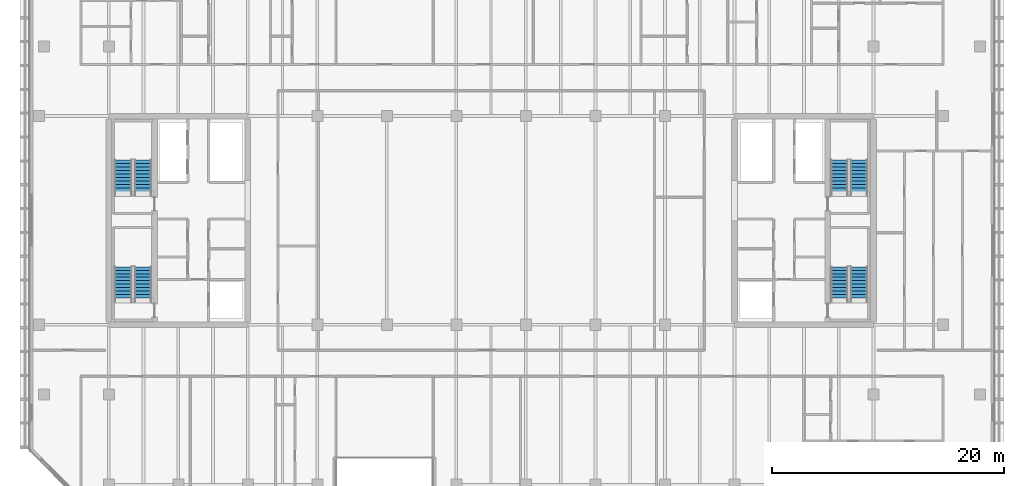
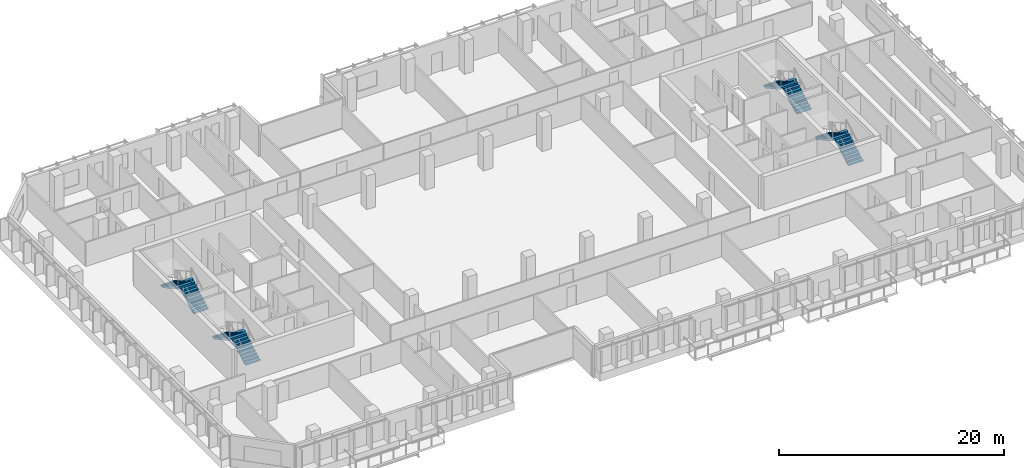
# One storey, part 17 of 23: 8 stair flights, 4 elements without a shape of their own.
"""IFC4 building model written with IfcOpenShell, lengths in metres."""

from ifc_helpers import new_model, si_unit, direction, frame, origin, place, context, subcontext, project, spatial, polyline, outline, extrude, material, type_object, element, aggregate, save


model = new_model("IFC4")

# Units and contexts
model_context = context("Model", 3, precision=1e-05, world=origin(), true_north=direction((0.0, 1.0)))
body_context = subcontext(model_context, "Body", "Model", "MODEL_VIEW")
ifc_project = project(units=[si_unit("LENGTHUNIT", "METRE"), si_unit("AREAUNIT", "SQUARE_METRE"), si_unit("VOLUMEUNIT", "CUBIC_METRE"), si_unit("PLANEANGLEUNIT", "RADIAN"), si_unit("MASSUNIT", "GRAM", prefix="KILO")], contexts=[model_context])

# Site, building, storey
site_placement = place(None, origin())
site = spatial("IfcSite", under=ifc_project, at=site_placement, CompositionType="ELEMENT")
building_placement = place(site_placement, origin())
building = spatial("IfcBuilding", under=site, at=building_placement, Name="Tanjung Sevakor Pilgrim Tower", CompositionType="ELEMENT")
storey_placement = place(building_placement, frame((0.0, 0.0, 119.4599609375)))
storey = spatial("IfcBuildingStorey", under=building, at=storey_placement, Name="L33", CompositionType="ELEMENT", Elevation=119.4599609375)

# Stair, stair flights
ifc_material_1 = material(Name="Concrete C40/50", Category="concrete")
stair_type = type_object("IfcStairType", Name="STAIR-ST-CR150", PredefinedType="HALF_TURN_STAIR", material=ifc_material_1)
stair_1_placement = place(storey_placement, origin())
stair_1 = element("IfcStair", 1, at=stair_1_placement, inside=storey, type_object=stair_type, Name="L33 West Core Exit Stair 1", PredefinedType="HALF_TURN_STAIR")
ifc_material_2 = material(Name="Concrete C40/50", Category="concrete")
stair_flight_type = type_object("IfcStairFlightType", Name="FLIGHT-ST-CR150", PredefinedType="STRAIGHT", material=ifc_material_2)
stair_flight_1_placement = place(storey_placement, frame((26.949951171875, 26.60009765625, 0.0), z_axis=(0.0, 0.0, 1.0), x_axis=(0.0, 1.0, 0.0)))
stair_flight_1 = element("IfcStairFlight", 2, at=stair_flight_1_placement, type_object=stair_flight_type, Name="TS-W1 flight 1", NumberOfRisers=11, NumberOfTreads=10, PredefinedType="STRAIGHT", RiserHeight=0.165, TreadLength=0.3, context=body_context, shape_type="SweptSolid", body=[
    extrude(outline(polyline([(0.0, 0.0), (0.0, 0.1650390625), (0.300048828125, 0.1650390625), (0.300048828125, 0.330078125), (0.60009765625, 0.330078125), (0.60009765625, 0.4951171875), (0.89990234375, 0.4951171875), (0.89990234375, 0.659912109375), (1.199951171875, 0.659912109375), (1.199951171875, 0.824951171875), (1.5, 0.824951171875), (1.5, 0.989990234375), (1.800048828125, 0.989990234375), (1.800048828125, 1.155029296875), (2.10009765625, 1.155029296875), (2.10009765625, 1.320068359375), (2.39990234375, 1.320068359375), (2.39990234375, 1.485107421875), (2.699951171875, 1.485107421875), (2.699951171875, 1.64990234375), (3.0, 1.64990234375), (3.0, 1.81494140625), (3.0, 1.467529296875), (0.331787109375, 0.0), (0.0, 0.0)])), frame((0.0, 0.75, 0.0), z_axis=(0.0, -1.0, 0.0), x_axis=(1.0, 0.0, 0.0)), (0.0, 0.0, 1.0), 1.5),
])
stair_flight_2_placement = place(storey_placement, frame((25.25, 29.60009765625, 1.81494140625), z_axis=(0.0, 0.0, 1.0), x_axis=(0.0, -1.0, 0.0)))
stair_flight_2 = element("IfcStairFlight", 3, at=stair_flight_2_placement, type_object=stair_flight_type, Name="TS-W1 flight 2", NumberOfRisers=11, NumberOfTreads=10, PredefinedType="STRAIGHT", RiserHeight=0.165, TreadLength=0.3, context=body_context, shape_type="SweptSolid", body=[
    extrude(outline(polyline([(0.0, 0.0), (0.0, 0.1650390625), (0.300048828125, 0.1650390625), (0.300048828125, 0.330078125), (0.60009765625, 0.330078125), (0.60009765625, 0.4951171875), (0.89990234375, 0.4951171875), (0.89990234375, 0.659912109375), (1.199951171875, 0.659912109375), (1.199951171875, 0.824951171875), (1.5, 0.824951171875), (1.5, 0.989990234375), (1.800048828125, 0.989990234375), (1.800048828125, 1.155029296875), (2.10009765625, 1.155029296875), (2.10009765625, 1.320068359375), (2.39990234375, 1.320068359375), (2.39990234375, 1.485107421875), (2.699951171875, 1.485107421875), (2.699951171875, 1.64990234375), (3.0, 1.64990234375), (3.0, 1.81494140625), (3.0, 1.467529296875), (0.331787109375, 0.0), (0.0, 0.0)])), frame((0.0, 0.75, 0.0), z_axis=(0.0, -1.0, 0.0), x_axis=(1.0, 0.0, 0.0)), (0.0, 0.0, 1.0), 1.5),
])
aggregate(stair_1, [stair_flight_1, stair_flight_2])

stair_2_placement = place(storey_placement, origin())
stair_2 = element("IfcStair", 4, at=stair_2_placement, inside=storey, type_object=stair_type, Name="L33 West Core Exit Stair 2", PredefinedType="HALF_TURN_STAIR")
stair_flight_3_placement = place(storey_placement, frame((26.949951171875, 35.800048828125, 0.0), z_axis=(0.0, 0.0, 1.0), x_axis=(0.0, 1.0, 0.0)))
stair_flight_3 = element("IfcStairFlight", 5, at=stair_flight_3_placement, type_object=stair_flight_type, Name="TS-W2 flight 1", NumberOfRisers=11, NumberOfTreads=10, PredefinedType="STRAIGHT", RiserHeight=0.165, TreadLength=0.3, context=body_context, shape_type="SweptSolid", body=[
    extrude(outline(polyline([(0.0, 0.0), (0.0, 0.1650390625), (0.300048828125, 0.1650390625), (0.300048828125, 0.330078125), (0.60009765625, 0.330078125), (0.60009765625, 0.4951171875), (0.89990234375, 0.4951171875), (0.89990234375, 0.659912109375), (1.199951171875, 0.659912109375), (1.199951171875, 0.824951171875), (1.5, 0.824951171875), (1.5, 0.989990234375), (1.800048828125, 0.989990234375), (1.800048828125, 1.155029296875), (2.10009765625, 1.155029296875), (2.10009765625, 1.320068359375), (2.39990234375, 1.320068359375), (2.39990234375, 1.485107421875), (2.699951171875, 1.485107421875), (2.699951171875, 1.64990234375), (3.0, 1.64990234375), (3.0, 1.81494140625), (3.0, 1.467529296875), (0.331787109375, 0.0), (0.0, 0.0)])), frame((0.0, 0.75, 0.0), z_axis=(0.0, -1.0, 0.0), x_axis=(1.0, 0.0, 0.0)), (0.0, 0.0, 1.0), 1.5),
])
stair_flight_4_placement = place(storey_placement, frame((25.25, 38.800048828125, 1.81494140625), z_axis=(0.0, 0.0, 1.0), x_axis=(0.0, -1.0, 0.0)))
stair_flight_4 = element("IfcStairFlight", 6, at=stair_flight_4_placement, type_object=stair_flight_type, Name="TS-W2 flight 2", NumberOfRisers=11, NumberOfTreads=10, PredefinedType="STRAIGHT", RiserHeight=0.165, TreadLength=0.3, context=body_context, shape_type="SweptSolid", body=[
    extrude(outline(polyline([(0.0, 0.0), (0.0, 0.1650390625), (0.300048828125, 0.1650390625), (0.300048828125, 0.330078125), (0.60009765625, 0.330078125), (0.60009765625, 0.4951171875), (0.89990234375, 0.4951171875), (0.89990234375, 0.659912109375), (1.199951171875, 0.659912109375), (1.199951171875, 0.824951171875), (1.5, 0.824951171875), (1.5, 0.989990234375), (1.800048828125, 0.989990234375), (1.800048828125, 1.155029296875), (2.10009765625, 1.155029296875), (2.10009765625, 1.320068359375), (2.39990234375, 1.320068359375), (2.39990234375, 1.485107421875), (2.699951171875, 1.485107421875), (2.699951171875, 1.64990234375), (3.0, 1.64990234375), (3.0, 1.81494140625), (3.0, 1.467529296875), (0.331787109375, 0.0), (0.0, 0.0)])), frame((0.0, 0.75, 0.0), z_axis=(0.0, -1.0, 0.0), x_axis=(1.0, 0.0, 0.0)), (0.0, 0.0, 1.0), 1.5),
])
aggregate(stair_2, [stair_flight_3, stair_flight_4])

stair_3_placement = place(storey_placement, origin())
stair_3 = element("IfcStair", 7, at=stair_3_placement, inside=storey, type_object=stair_type, Name="L33 East Core Exit Stair 1", PredefinedType="HALF_TURN_STAIR")
stair_flight_5_placement = place(storey_placement, frame((88.75, 26.60009765625, 0.0), z_axis=(0.0, 0.0, 1.0), x_axis=(0.0, 1.0, 0.0)))
stair_flight_5 = element("IfcStairFlight", 8, at=stair_flight_5_placement, type_object=stair_flight_type, Name="TS-E1 flight 1", NumberOfRisers=11, NumberOfTreads=10, PredefinedType="STRAIGHT", RiserHeight=0.165, TreadLength=0.3, context=body_context, shape_type="SweptSolid", body=[
    extrude(outline(polyline([(0.0, 0.0), (0.0, 0.1650390625), (0.300048828125, 0.1650390625), (0.300048828125, 0.330078125), (0.60009765625, 0.330078125), (0.60009765625, 0.4951171875), (0.89990234375, 0.4951171875), (0.89990234375, 0.659912109375), (1.199951171875, 0.659912109375), (1.199951171875, 0.824951171875), (1.5, 0.824951171875), (1.5, 0.989990234375), (1.800048828125, 0.989990234375), (1.800048828125, 1.155029296875), (2.10009765625, 1.155029296875), (2.10009765625, 1.320068359375), (2.39990234375, 1.320068359375), (2.39990234375, 1.485107421875), (2.699951171875, 1.485107421875), (2.699951171875, 1.64990234375), (3.0, 1.64990234375), (3.0, 1.81494140625), (3.0, 1.467529296875), (0.331787109375, 0.0), (0.0, 0.0)])), frame((0.0, 0.75, 0.0), z_axis=(0.0, -1.0, 0.0), x_axis=(1.0, 0.0, 0.0)), (0.0, 0.0, 1.0), 1.5),
])
stair_flight_6_placement = place(storey_placement, frame((87.050048828125, 29.60009765625, 1.81494140625), z_axis=(0.0, 0.0, 1.0), x_axis=(0.0, -1.0, 0.0)))
stair_flight_6 = element("IfcStairFlight", 9, at=stair_flight_6_placement, type_object=stair_flight_type, Name="TS-E1 flight 2", NumberOfRisers=11, NumberOfTreads=10, PredefinedType="STRAIGHT", RiserHeight=0.165, TreadLength=0.3, context=body_context, shape_type="SweptSolid", body=[
    extrude(outline(polyline([(0.0, 0.0), (0.0, 0.1650390625), (0.300048828125, 0.1650390625), (0.300048828125, 0.330078125), (0.60009765625, 0.330078125), (0.60009765625, 0.4951171875), (0.89990234375, 0.4951171875), (0.89990234375, 0.659912109375), (1.199951171875, 0.659912109375), (1.199951171875, 0.824951171875), (1.5, 0.824951171875), (1.5, 0.989990234375), (1.800048828125, 0.989990234375), (1.800048828125, 1.155029296875), (2.10009765625, 1.155029296875), (2.10009765625, 1.320068359375), (2.39990234375, 1.320068359375), (2.39990234375, 1.485107421875), (2.699951171875, 1.485107421875), (2.699951171875, 1.64990234375), (3.0, 1.64990234375), (3.0, 1.81494140625), (3.0, 1.467529296875), (0.331787109375, 0.0), (0.0, 0.0)])), frame((0.0, 0.75, 0.0), z_axis=(0.0, -1.0, 0.0), x_axis=(1.0, 0.0, 0.0)), (0.0, 0.0, 1.0), 1.5),
])
aggregate(stair_3, [stair_flight_5, stair_flight_6])

stair_4_placement = place(storey_placement, origin())
stair_4 = element("IfcStair", 10, at=stair_4_placement, inside=storey, type_object=stair_type, Name="L33 East Core Exit Stair 2", PredefinedType="HALF_TURN_STAIR")
stair_flight_7_placement = place(storey_placement, frame((88.75, 35.800048828125, 0.0), z_axis=(0.0, 0.0, 1.0), x_axis=(0.0, 1.0, 0.0)))
stair_flight_7 = element("IfcStairFlight", 11, at=stair_flight_7_placement, type_object=stair_flight_type, Name="TS-E2 flight 1", NumberOfRisers=11, NumberOfTreads=10, PredefinedType="STRAIGHT", RiserHeight=0.165, TreadLength=0.3, context=body_context, shape_type="SweptSolid", body=[
    extrude(outline(polyline([(0.0, 0.0), (0.0, 0.1650390625), (0.300048828125, 0.1650390625), (0.300048828125, 0.330078125), (0.60009765625, 0.330078125), (0.60009765625, 0.4951171875), (0.89990234375, 0.4951171875), (0.89990234375, 0.659912109375), (1.199951171875, 0.659912109375), (1.199951171875, 0.824951171875), (1.5, 0.824951171875), (1.5, 0.989990234375), (1.800048828125, 0.989990234375), (1.800048828125, 1.155029296875), (2.10009765625, 1.155029296875), (2.10009765625, 1.320068359375), (2.39990234375, 1.320068359375), (2.39990234375, 1.485107421875), (2.699951171875, 1.485107421875), (2.699951171875, 1.64990234375), (3.0, 1.64990234375), (3.0, 1.81494140625), (3.0, 1.467529296875), (0.331787109375, 0.0), (0.0, 0.0)])), frame((0.0, 0.75, 0.0), z_axis=(0.0, -1.0, 0.0), x_axis=(1.0, 0.0, 0.0)), (0.0, 0.0, 1.0), 1.5),
])
stair_flight_8_placement = place(storey_placement, frame((87.050048828125, 38.800048828125, 1.81494140625), z_axis=(0.0, 0.0, 1.0), x_axis=(0.0, -1.0, 0.0)))
stair_flight_8 = element("IfcStairFlight", 12, at=stair_flight_8_placement, type_object=stair_flight_type, Name="TS-E2 flight 2", NumberOfRisers=11, NumberOfTreads=10, PredefinedType="STRAIGHT", RiserHeight=0.165, TreadLength=0.3, context=body_context, shape_type="SweptSolid", body=[
    extrude(outline(polyline([(0.0, 0.0), (0.0, 0.1650390625), (0.300048828125, 0.1650390625), (0.300048828125, 0.330078125), (0.60009765625, 0.330078125), (0.60009765625, 0.4951171875), (0.89990234375, 0.4951171875), (0.89990234375, 0.659912109375), (1.199951171875, 0.659912109375), (1.199951171875, 0.824951171875), (1.5, 0.824951171875), (1.5, 0.989990234375), (1.800048828125, 0.989990234375), (1.800048828125, 1.155029296875), (2.10009765625, 1.155029296875), (2.10009765625, 1.320068359375), (2.39990234375, 1.320068359375), (2.39990234375, 1.485107421875), (2.699951171875, 1.485107421875), (2.699951171875, 1.64990234375), (3.0, 1.64990234375), (3.0, 1.81494140625), (3.0, 1.467529296875), (0.331787109375, 0.0), (0.0, 0.0)])), frame((0.0, 0.75, 0.0), z_axis=(0.0, -1.0, 0.0), x_axis=(1.0, 0.0, 0.0)), (0.0, 0.0, 1.0), 1.5),
])
aggregate(stair_4, [stair_flight_7, stair_flight_8])

save(model, "model.ifc")
